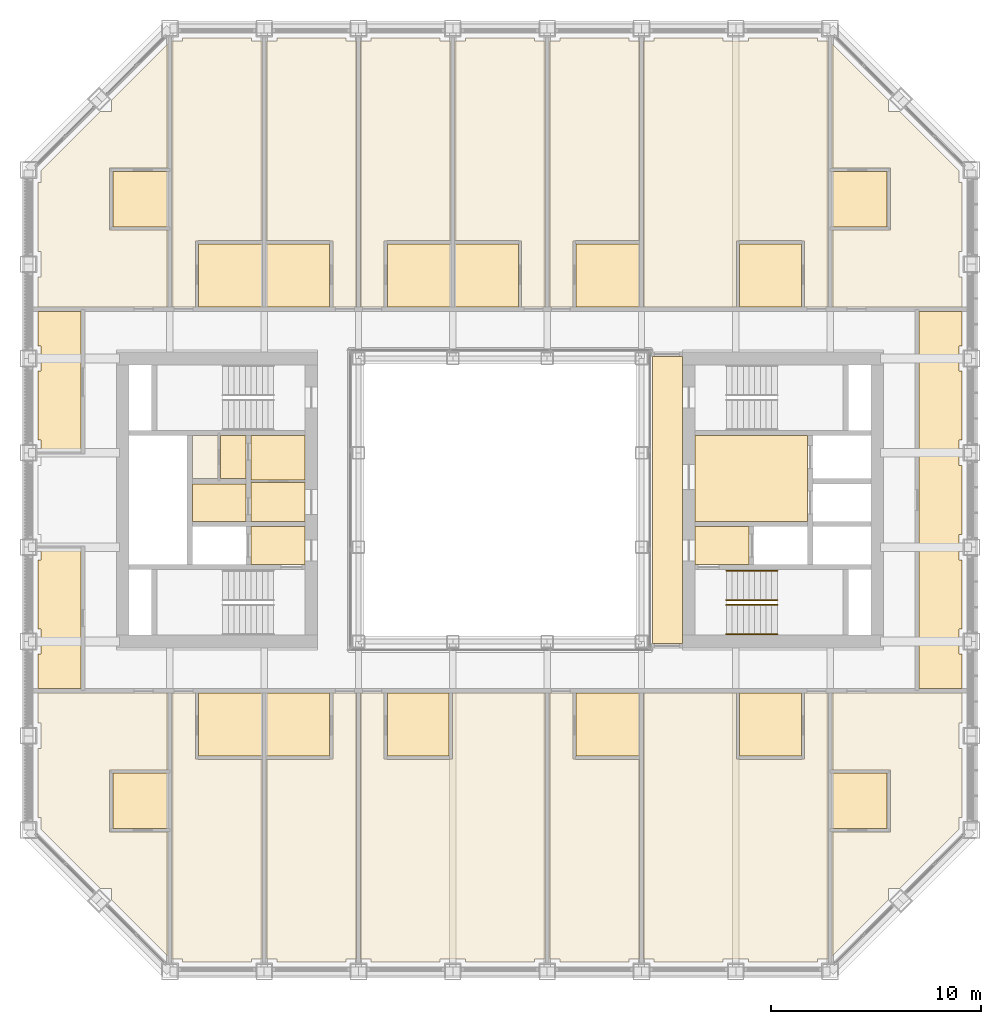
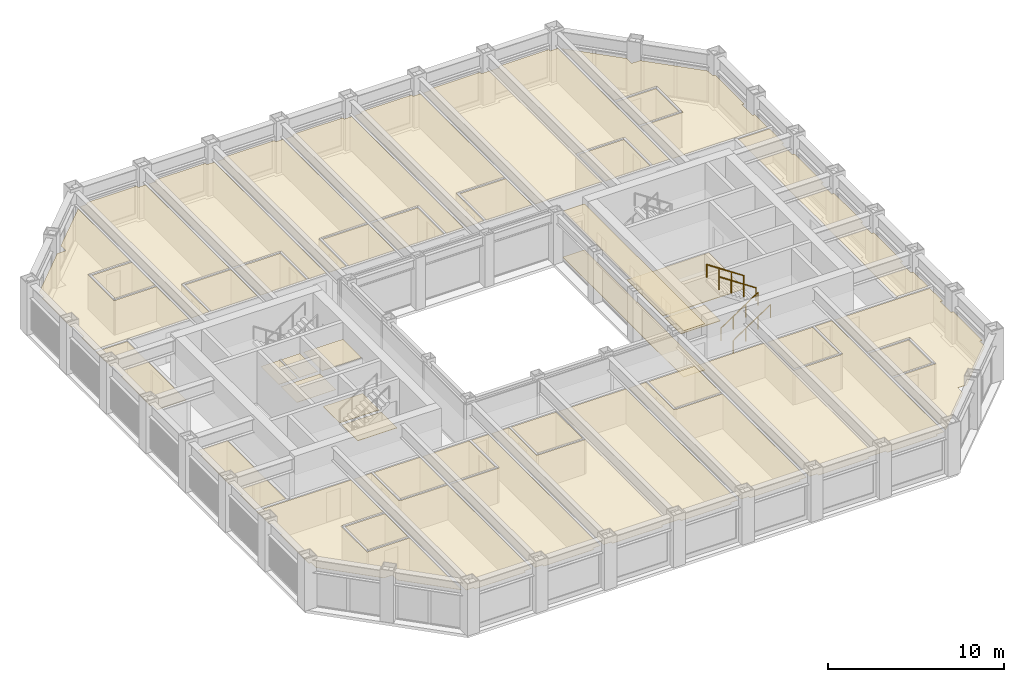
# One storey, part 16 of 17: 5 coverings, 4 railings.
"""IFC4 building model written with IfcOpenShell, lengths in metres."""

from ifc_helpers import new_model, si_unit, direction, frame, origin, origin_2d, place, context, subcontext, project, spatial, line, indexed_curve, circle, outline, extrude, material, layer, layer_set, type_object, element, save


model = new_model("IFC4")

# Units and contexts
model_context = context("Model", 3, precision=1e-05, world=origin(), true_north=direction((0.0, 1.0)))
body_context = subcontext(model_context, "Body", "Model", "MODEL_VIEW")
ifc_project = project(units=[si_unit("LENGTHUNIT", "METRE"), si_unit("AREAUNIT", "SQUARE_METRE"), si_unit("VOLUMEUNIT", "CUBIC_METRE"), si_unit("PLANEANGLEUNIT", "RADIAN"), si_unit("MASSUNIT", "GRAM", prefix="KILO")], contexts=[model_context])

# Site, building, storey
site_placement = place(None, origin())
site = spatial("IfcSite", under=ifc_project, at=site_placement, CompositionType="ELEMENT")
building_placement = place(site_placement, origin())
building = spatial("IfcBuilding", under=site, at=building_placement, Name="Msasa Ring Tower", CompositionType="ELEMENT")
storey_placement = place(building_placement, frame((0.0, 0.0, 143.60009765625)))
storey = spatial("IfcBuildingStorey", under=building, at=storey_placement, Name="L37", CompositionType="ELEMENT", Elevation=143.60009765625)

# Coverings
ifc_material_1 = material(Name="Gypsum plasterboard on a steel suspension grid", Category="steel")
ifc_layer_1 = layer(ifc_material_1, 0.014892578125)
ifc_layer_set_1 = layer_set([ifc_layer_1], Name="C1 SUSPENDED PLASTERBOARD CEILING 15")
covering_type_1 = type_object("IfcCoveringType", Name="C1 SUSPENDED PLASTERBOARD CEILING 15", PredefinedType="CEILING", material=ifc_layer_set_1)
covering_1_placement = place(storey_placement, frame((0.0, 0.0, 3.199951171875)))
element("IfcCovering", 1, at=covering_1_placement, inside=storey, type_object=covering_type_1, Name="Suspended Plasterboard Ceiling 15 public rooms L37", PredefinedType="CEILING", context=body_context, shape_type="SweptSolid", body=[
    extrude(outline(indexed_curve([(8.699462890625, 6.849609375), (8.699462890625, -6.849609375), (7.280029296875, -6.849609375), (7.280029296875, 6.849609375)], segments=[line(1, 2, 3, 4, 1)], self_intersect=False)), origin(), (0.0, 0.0, 1.0), 0.014892578125),
])
covering_2_placement = place(storey_placement, frame((0.0, 0.0, 2.407958984375)))
element("IfcCovering", 2, at=covering_2_placement, inside=storey, type_object=covering_type_1, Name="Suspended Plasterboard Ceiling 15 L37", PredefinedType="CEILING", context=body_context, shape_type="SweptSolid", body=[
    extrude(outline(indexed_curve([(-15.8505859375, -21.762451171875), (-18.5244140625, -19.08837890625), (-18.5244140625, -18.5244140625), (-19.08837890625, -18.5244140625), (-21.8994140625, -15.71337890625), (-21.8994140625, -15.1494140625), (-22.049560546875, -15.1494140625), (-22.049560546875, -11.8505859375), (-21.8994140625, -11.8505859375), (-21.8994140625, -10.6494140625), (-22.049560546875, -10.6494140625), (-22.049560546875, -9.200439453125), (-15.8505859375, -9.200439453125), (-15.8505859375, -12.869384765625), (-18.630615234375, -12.869384765625), (-18.630615234375, -15.83056640625), (-15.8505859375, -15.83056640625)], segments=[line(1, 2, 3, 4, 5, 6, 7, 8, 9, 10, 11, 12, 13, 14, 15, 16, 17, 1)], self_intersect=False)), origin(), (0.0, 0.0, 1.0), 0.014892578125),
    extrude(outline(indexed_curve([(-18.630615234375, 12.869384765625), (-15.8505859375, 12.869384765625), (-15.8505859375, 9.200439453125), (-22.049560546875, 9.200439453125), (-22.049560546875, 10.6494140625), (-21.8994140625, 10.6494140625), (-21.8994140625, 11.8505859375), (-22.049560546875, 11.8505859375), (-22.049560546875, 15.1494140625), (-21.8994140625, 15.1494140625), (-21.8994140625, 15.71337890625), (-19.08837890625, 18.5244140625), (-18.5244140625, 18.5244140625), (-18.5244140625, 19.08837890625), (-15.8505859375, 21.762451171875), (-15.8505859375, 15.83056640625), (-18.630615234375, 15.83056640625)], segments=[line(1, 2, 3, 4, 5, 6, 7, 8, 9, 10, 11, 12, 13, 14, 15, 16, 17, 1)], self_intersect=False)), origin(), (0.0, 0.0, 1.0), 0.014892578125),
    extrude(outline(indexed_curve([(-15.1494140625, -22.049560546875), (-15.1494140625, -21.8994140625), (-15.6494140625, -21.8994140625), (-15.6494140625, -9.200439453125), (-14.525390625, -9.200439453125), (-14.525390625, -12.35009765625), (-14.39990234375, -12.3505859375), (-14.39990234375, -12.37548828125), (-11.3505859375, -12.37548828125), (-11.3505859375, -21.8994140625), (-11.8505859375, -21.8994140625), (-11.8505859375, -22.049560546875)], segments=[line(1, 2, 3, 4, 5, 6, 7, 8, 9, 10, 11, 12, 1)], self_intersect=False)), origin(), (0.0, 0.0, 1.0), 0.014892578125),
    extrude(outline(indexed_curve([(-14.39990234375, 12.3505859375), (-14.525390625, 12.35009765625), (-14.525390625, 9.200439453125), (-15.6494140625, 9.200439453125), (-15.6494140625, 21.8994140625), (-15.1494140625, 21.8994140625), (-15.1494140625, 22.049560546875), (-11.8505859375, 22.049560546875), (-11.8505859375, 21.8994140625), (-11.3505859375, 21.8994140625), (-11.3505859375, 12.37548828125), (-14.39990234375, 12.37548828125)], segments=[line(1, 2, 3, 4, 5, 6, 7, 8, 9, 10, 11, 12, 1)], self_intersect=False)), origin(), (0.0, 0.0, 1.0), 0.014892578125),
    extrude(outline(indexed_curve([(-14.674560546875, 3.074462890625), (-13.45556640625, 3.074462890625), (-13.45556640625, 1.025390625), (-14.674560546875, 1.025390625)], segments=[line(1, 2, 3, 4, 1)], self_intersect=False)), origin(), (0.0, 0.0, 1.0), 0.014892578125),
    extrude(outline(indexed_curve([(-6.8505859375, -9.200439453125), (-6.8505859375, -21.8994140625), (-7.3505859375, -21.8994140625), (-7.3505859375, -22.049560546875), (-10.6494140625, -22.049560546875), (-10.6494140625, -21.8994140625), (-11.1494140625, -21.8994140625), (-11.1494140625, -12.37548828125), (-8.10009765625, -12.37548828125), (-8.10009765625, -12.3505859375), (-7.974609375, -12.35009765625), (-7.974609375, -9.200439453125)], segments=[line(1, 2, 3, 4, 5, 6, 7, 8, 9, 10, 11, 12, 1)], self_intersect=False)), origin(), (0.0, 0.0, 1.0), 0.014892578125),
    extrude(outline(indexed_curve([(-7.3505859375, 22.049560546875), (-7.3505859375, 21.8994140625), (-6.8505859375, 21.8994140625), (-6.8505859375, 9.200439453125), (-7.974609375, 9.200439453125), (-7.974609375, 12.35009765625), (-8.10009765625, 12.3505859375), (-8.10009765625, 12.37548828125), (-11.1494140625, 12.37548828125), (-11.1494140625, 21.8994140625), (-10.6494140625, 21.8994140625), (-10.6494140625, 22.049560546875)], segments=[line(1, 2, 3, 4, 5, 6, 7, 8, 9, 10, 11, 12, 1)], self_intersect=False)), origin(), (0.0, 0.0, 1.0), 0.014892578125),
    extrude(outline(indexed_curve([(-5.39990234375, -12.3505859375), (-5.39990234375, -12.37548828125), (-2.39990234375, -12.37548828125), (-2.39990234375, -12.3505859375), (-2.2744140625, -12.35009765625), (-2.2744140625, -9.200439453125), (2.1494140625, -9.200439453125), (2.1494140625, -21.8994140625), (1.6494140625, -21.8994140625), (1.6494140625, -22.049560546875), (-1.6494140625, -22.049560546875), (-1.6494140625, -21.8994140625), (-2.8505859375, -21.8994140625), (-2.8505859375, -22.049560546875), (-6.1494140625, -22.049560546875), (-6.1494140625, -21.8994140625), (-6.6494140625, -21.8994140625), (-6.6494140625, -9.200439453125), (-5.525390625, -9.200439453125), (-5.525390625, -12.35009765625)], segments=[line(1, 2, 3, 4, 5, 6, 7, 8, 9, 10, 11, 12, 13, 14, 15, 16, 17, 18, 19, 20, 1)], self_intersect=False)), origin(), (0.0, 0.0, 1.0), 0.014892578125),
    extrude(outline(indexed_curve([(-6.6494140625, 9.200439453125), (-6.6494140625, 21.8994140625), (-6.1494140625, 21.8994140625), (-6.1494140625, 22.049560546875), (-2.8505859375, 22.049560546875), (-2.8505859375, 21.8994140625), (-2.3505859375, 21.8994140625), (-2.3505859375, 12.37548828125), (-5.39990234375, 12.37548828125), (-5.39990234375, 12.3505859375), (-5.525390625, 12.35009765625), (-5.525390625, 9.200439453125)], segments=[line(1, 2, 3, 4, 5, 6, 7, 8, 9, 10, 11, 12, 1)], self_intersect=False)), origin(), (0.0, 0.0, 1.0), 0.014892578125),
    extrude(outline(indexed_curve([(1.6494140625, 22.049560546875), (1.6494140625, 21.8994140625), (2.1494140625, 21.8994140625), (2.1494140625, 9.200439453125), (1.025390625, 9.200439453125), (1.025390625, 12.35009765625), (0.89990234375, 12.3505859375), (0.89990234375, 12.37548828125), (-2.1494140625, 12.37548828125), (-2.1494140625, 21.8994140625), (-1.6494140625, 21.8994140625), (-1.6494140625, 22.049560546875)], segments=[line(1, 2, 3, 4, 5, 6, 7, 8, 9, 10, 11, 12, 1)], self_intersect=False)), origin(), (0.0, 0.0, 1.0), 0.014892578125),
    extrude(outline(indexed_curve([(2.8505859375, -22.049560546875), (2.8505859375, -21.8994140625), (2.3505859375, -21.8994140625), (2.3505859375, -9.200439453125), (3.474609375, -9.200439453125), (3.474609375, -12.35009765625), (3.60009765625, -12.3505859375), (3.60009765625, -12.37548828125), (6.6494140625, -12.37548828125), (6.6494140625, -21.8994140625), (6.1494140625, -21.8994140625), (6.1494140625, -22.049560546875)], segments=[line(1, 2, 3, 4, 5, 6, 7, 8, 9, 10, 11, 12, 1)], self_intersect=False)), origin(), (0.0, 0.0, 1.0), 0.014892578125),
    extrude(outline(indexed_curve([(2.3505859375, 9.200439453125), (2.3505859375, 21.8994140625), (2.8505859375, 21.8994140625), (2.8505859375, 22.049560546875), (6.1494140625, 22.049560546875), (6.1494140625, 21.8994140625), (6.6494140625, 21.8994140625), (6.6494140625, 12.37548828125), (3.60009765625, 12.37548828125), (3.60009765625, 12.3505859375), (3.474609375, 12.35009765625), (3.474609375, 9.200439453125)], segments=[line(1, 2, 3, 4, 5, 6, 7, 8, 9, 10, 11, 12, 1)], self_intersect=False)), origin(), (0.0, 0.0, 1.0), 0.014892578125),
    extrude(outline(indexed_curve([(11.2744140625, -12.35009765625), (11.39990234375, -12.3505859375), (11.39990234375, -12.37548828125), (14.39990234375, -12.37548828125), (14.39990234375, -12.3505859375), (14.525390625, -12.35009765625), (14.525390625, -9.200439453125), (15.6494140625, -9.200439453125), (15.6494140625, -21.8994140625), (15.1494140625, -21.8994140625), (15.1494140625, -22.049560546875), (11.8505859375, -22.049560546875), (11.8505859375, -21.8994140625), (10.6494140625, -21.8994140625), (10.6494140625, -22.049560546875), (7.3505859375, -22.049560546875), (7.3505859375, -21.8994140625), (6.8505859375, -21.8994140625), (6.8505859375, -9.200439453125), (11.2744140625, -9.200439453125)], segments=[line(1, 2, 3, 4, 5, 6, 7, 8, 9, 10, 11, 12, 13, 14, 15, 16, 17, 18, 19, 20, 1)], self_intersect=False)), origin(), (0.0, 0.0, 1.0), 0.014892578125),
    extrude(outline(indexed_curve([(14.525390625, 12.35009765625), (14.39990234375, 12.3505859375), (14.39990234375, 12.37548828125), (11.39990234375, 12.37548828125), (11.39990234375, 12.3505859375), (11.2744140625, 12.35009765625), (11.2744140625, 9.200439453125), (6.8505859375, 9.200439453125), (6.8505859375, 21.8994140625), (7.3505859375, 21.8994140625), (7.3505859375, 22.049560546875), (10.6494140625, 22.049560546875), (10.6494140625, 21.8994140625), (11.8505859375, 21.8994140625), (11.8505859375, 22.049560546875), (15.1494140625, 22.049560546875), (15.1494140625, 21.8994140625), (15.6494140625, 21.8994140625), (15.6494140625, 9.200439453125), (14.525390625, 9.200439453125)], segments=[line(1, 2, 3, 4, 5, 6, 7, 8, 9, 10, 11, 12, 13, 14, 15, 16, 17, 18, 19, 20, 1)], self_intersect=False)), origin(), (0.0, 0.0, 1.0), 0.014892578125),
    extrude(outline(indexed_curve([(18.630615234375, -12.869384765625), (15.8505859375, -12.869384765625), (15.8505859375, -9.200439453125), (22.049560546875, -9.200439453125), (22.049560546875, -10.6494140625), (21.8994140625, -10.6494140625), (21.8994140625, -11.8505859375), (22.049560546875, -11.8505859375), (22.049560546875, -15.1494140625), (21.8994140625, -15.1494140625), (21.8994140625, -15.71337890625), (19.08837890625, -18.5244140625), (18.5244140625, -18.5244140625), (18.5244140625, -19.08837890625), (15.8505859375, -21.762451171875), (15.8505859375, -15.83056640625), (18.630615234375, -15.83056640625)], segments=[line(1, 2, 3, 4, 5, 6, 7, 8, 9, 10, 11, 12, 13, 14, 15, 16, 17, 1)], self_intersect=False)), origin(), (0.0, 0.0, 1.0), 0.014892578125),
    extrude(outline(indexed_curve([(15.8505859375, 21.762451171875), (18.5244140625, 19.08837890625), (18.5244140625, 18.5244140625), (19.08837890625, 18.5244140625), (21.8994140625, 15.71337890625), (21.8994140625, 15.1494140625), (22.049560546875, 15.1494140625), (22.049560546875, 11.8505859375), (21.8994140625, 11.8505859375), (21.8994140625, 10.6494140625), (22.049560546875, 10.6494140625), (22.049560546875, 9.200439453125), (15.8505859375, 9.200439453125), (15.8505859375, 12.869384765625), (18.630615234375, 12.869384765625), (18.630615234375, 15.83056640625), (15.8505859375, 15.83056640625)], segments=[line(1, 2, 3, 4, 5, 6, 7, 8, 9, 10, 11, 12, 13, 14, 15, 16, 17, 1)], self_intersect=False)), origin(), (0.0, 0.0, 1.0), 0.014892578125),
])
ifc_material_2 = material(Name="Moisture-resistant gypsum plasterboard on a steel suspension grid", Category="steel")
ifc_layer_2 = layer(ifc_material_2, 0.014892578125)
ifc_layer_set_2 = layer_set([ifc_layer_2], Name="C2 MOISTURE-RESISTANT PLASTERBOARD CEILING 15")
covering_type_2 = type_object("IfcCoveringType", Name="C2 MOISTURE-RESISTANT PLASTERBOARD CEILING 15", PredefinedType="CEILING", material=ifc_layer_set_2)
covering_3_placement = place(storey_placement, frame((0.0, 0.0, 2.39990234375)))
element("IfcCovering", 3, at=covering_3_placement, inside=storey, type_object=covering_type_2, Name="Moisture-Resistant Plasterboard Ceiling 15 L37", PredefinedType="CEILING", context=body_context, shape_type="SweptSolid", body=[
    extrude(outline(indexed_curve([(-18.469482421875, -13.030517578125), (-15.8505859375, -13.030517578125), (-15.8505859375, -15.66943359375), (-18.469482421875, -15.66943359375)], segments=[line(1, 2, 3, 4, 1)], self_intersect=False)), origin(), (0.0, 0.0, 1.0), 0.014892578125),
    extrude(outline(indexed_curve([(-18.469482421875, 15.66943359375), (-15.8505859375, 15.66943359375), (-15.8505859375, 13.030517578125), (-18.469482421875, 13.030517578125)], segments=[line(1, 2, 3, 4, 1)], self_intersect=False)), origin(), (0.0, 0.0, 1.0), 0.014892578125),
    extrude(outline(indexed_curve([(-14.674560546875, 0.7744140625), (-12.12548828125, 0.7744140625), (-12.12548828125, -1.0244140625), (-14.674560546875, -1.0244140625)], segments=[line(1, 2, 3, 4, 1)], self_intersect=False)), origin(), (0.0, 0.0, 1.0), 0.014892578125),
    extrude(outline(indexed_curve([(-11.3505859375, -9.200439453125), (-11.3505859375, -12.224609375), (-14.37451171875, -12.224609375), (-14.37451171875, -9.200439453125)], segments=[line(1, 2, 3, 4, 1)], self_intersect=False)), origin(), (0.0, 0.0, 1.0), 0.014892578125),
    extrude(outline(indexed_curve([(-11.3505859375, 9.200439453125), (-14.37451171875, 9.200439453125), (-14.37451171875, 12.224609375), (-11.3505859375, 12.224609375)], segments=[line(1, 2, 3, 4, 1)], self_intersect=False)), origin(), (0.0, 0.0, 1.0), 0.014892578125),
    extrude(outline(indexed_curve([(-11.1494140625, -9.200439453125), (-8.12548828125, -9.200439453125), (-8.12548828125, -12.224609375), (-11.1494140625, -12.224609375)], segments=[line(1, 2, 3, 4, 1)], self_intersect=False)), origin(), (0.0, 0.0, 1.0), 0.014892578125),
    extrude(outline(indexed_curve([(-11.1494140625, 12.224609375), (-8.12548828125, 12.224609375), (-8.12548828125, 9.200439453125), (-11.1494140625, 9.200439453125)], segments=[line(1, 2, 3, 4, 1)], self_intersect=False)), origin(), (0.0, 0.0, 1.0), 0.014892578125),
    extrude(outline(indexed_curve([(-2.425537109375, -9.200439453125), (-2.425537109375, -12.224609375), (-5.37451171875, -12.224609375), (-5.37451171875, -9.200439453125)], segments=[line(1, 2, 3, 4, 1)], self_intersect=False)), origin(), (0.0, 0.0, 1.0), 0.014892578125),
    extrude(outline(indexed_curve([(-2.3505859375, 9.200439453125), (-5.37451171875, 9.200439453125), (-5.37451171875, 12.224609375), (-2.3505859375, 12.224609375)], segments=[line(1, 2, 3, 4, 1)], self_intersect=False)), origin(), (0.0, 0.0, 1.0), 0.014892578125),
    extrude(outline(indexed_curve([(-2.1494140625, 12.224609375), (0.87451171875, 12.224609375), (0.87451171875, 9.200439453125), (-2.1494140625, 9.200439453125)], segments=[line(1, 2, 3, 4, 1)], self_intersect=False)), origin(), (0.0, 0.0, 1.0), 0.014892578125),
    extrude(outline(indexed_curve([(6.6494140625, -9.200439453125), (6.6494140625, -12.224609375), (3.62548828125, -12.224609375), (3.62548828125, -9.200439453125)], segments=[line(1, 2, 3, 4, 1)], self_intersect=False)), origin(), (0.0, 0.0, 1.0), 0.014892578125),
    extrude(outline(indexed_curve([(6.6494140625, 9.200439453125), (3.62548828125, 9.200439453125), (3.62548828125, 12.224609375), (6.6494140625, 12.224609375)], segments=[line(1, 2, 3, 4, 1)], self_intersect=False)), origin(), (0.0, 0.0, 1.0), 0.014892578125),
    extrude(outline(indexed_curve([(14.37451171875, -9.200439453125), (14.37451171875, -12.224609375), (11.425537109375, -12.224609375), (11.425537109375, -9.200439453125)], segments=[line(1, 2, 3, 4, 1)], self_intersect=False)), origin(), (0.0, 0.0, 1.0), 0.014892578125),
    extrude(outline(indexed_curve([(11.425537109375, 9.200439453125), (11.425537109375, 12.224609375), (14.37451171875, 12.224609375), (14.37451171875, 9.200439453125)], segments=[line(1, 2, 3, 4, 1)], self_intersect=False)), origin(), (0.0, 0.0, 1.0), 0.014892578125),
    extrude(outline(indexed_curve([(15.8505859375, -13.030517578125), (18.469482421875, -13.030517578125), (18.469482421875, -15.66943359375), (15.8505859375, -15.66943359375)], segments=[line(1, 2, 3, 4, 1)], self_intersect=False)), origin(), (0.0, 0.0, 1.0), 0.014892578125),
    extrude(outline(indexed_curve([(15.8505859375, 15.66943359375), (18.469482421875, 15.66943359375), (18.469482421875, 13.030517578125), (15.8505859375, 13.030517578125)], segments=[line(1, 2, 3, 4, 1)], self_intersect=False)), origin(), (0.0, 0.0, 1.0), 0.014892578125),
])
ifc_material_3 = material(Name="Mineral fibre ceiling tiles on an exposed steel grid", Category="steel")
ifc_layer_3 = layer(ifc_material_3, 0.02001953125)
ifc_layer_set_3 = layer_set([ifc_layer_3], Name="C3 ACOUSTIC MINERAL FIBRE TILE CEILING 20")
covering_type_3 = type_object("IfcCoveringType", Name="C3 ACOUSTIC MINERAL FIBRE TILE CEILING 20", PredefinedType="CEILING", material=ifc_layer_set_3)
covering_4_placement = place(storey_placement, frame((0.0, 0.0, 2.408935546875)))
element("IfcCovering", 4, at=covering_4_placement, inside=storey, type_object=covering_type_3, Name="Acoustic Mineral Fibre Tile Ceiling 20 L37", PredefinedType="CEILING", context=body_context, shape_type="SweptSolid", body=[
    extrude(outline(indexed_curve([(-22.049560546875, -7.3505859375), (-21.8994140625, -7.3505859375), (-21.8994140625, -6.1494140625), (-22.049560546875, -6.1494140625), (-22.049560546875, -2.8505859375), (-21.8994140625, -2.8505859375), (-21.8994140625, -2.305419921875), (-20.00048828125, -2.305419921875), (-20.00048828125, -8.99951171875), (-22.049560546875, -8.99951171875)], segments=[line(1, 2, 3, 4, 5, 6, 7, 8, 9, 10, 1)], self_intersect=False)), origin(), (0.0, 0.0, 1.0), 0.02001953125),
    extrude(outline(indexed_curve([(-20.00048828125, 8.99951171875), (-20.00048828125, 2.305419921875), (-21.8994140625, 2.305419921875), (-21.8994140625, 2.8505859375), (-22.049560546875, 2.8505859375), (-22.049560546875, 6.1494140625), (-21.8994140625, 6.1494140625), (-21.8994140625, 7.3505859375), (-22.049560546875, 7.3505859375), (-22.049560546875, 8.99951171875)], segments=[line(1, 2, 3, 4, 5, 6, 7, 8, 9, 10, 1)], self_intersect=False)), origin(), (0.0, 0.0, 1.0), 0.02001953125),
    extrude(outline(indexed_curve([(-13.344482421875, 3.074462890625), (-12.12548828125, 3.074462890625), (-12.12548828125, 1.025390625), (-13.344482421875, 1.025390625)], segments=[line(1, 2, 3, 4, 1)], self_intersect=False)), origin(), (0.0, 0.0, 1.0), 0.02001953125),
    extrude(outline(indexed_curve([(-9.300537109375, 0.95556640625), (-11.87451171875, 0.95556640625), (-11.87451171875, 3.074462890625), (-9.300537109375, 3.074462890625)], segments=[line(1, 2, 3, 4, 1)], self_intersect=False)), origin(), (0.0, 0.0, 1.0), 0.02001953125),
    extrude(outline(indexed_curve([(22.049560546875, 8.99951171875), (22.049560546875, 7.3505859375), (21.8994140625, 7.3505859375), (21.8994140625, 6.1494140625), (22.049560546875, 6.1494140625), (22.049560546875, 2.8505859375), (21.8994140625, 2.8505859375), (21.8994140625, 1.6494140625), (22.049560546875, 1.6494140625), (22.049560546875, -1.6494140625), (21.8994140625, -1.6494140625), (21.8994140625, -2.8505859375), (22.049560546875, -2.8505859375), (22.049560546875, -6.1494140625), (21.8994140625, -6.1494140625), (21.8994140625, -7.3505859375), (22.049560546875, -7.3505859375), (22.049560546875, -8.99951171875), (20.00048828125, -8.99951171875), (20.00048828125, 8.99951171875)], segments=[line(1, 2, 3, 4, 5, 6, 7, 8, 9, 10, 11, 12, 13, 14, 15, 16, 17, 18, 19, 20, 1)], self_intersect=False)), origin(), (0.0, 0.0, 1.0), 0.02001953125),
])
ifc_material_4 = material(Name="Honed granite tiles on a mortar bed", Category="masonry")
ifc_layer_4 = layer(ifc_material_4, 0.030029296875)
ifc_layer_set_4 = layer_set([ifc_layer_4], Name="F1 HONED GRANITE ON BEDDING 30")
covering_type_4 = type_object("IfcCoveringType", Name="F1 HONED GRANITE ON BEDDING 30", PredefinedType="FLOORING", material=ifc_layer_set_4)
covering_5_placement = place(storey_placement, origin())
element("IfcCovering", 5, at=covering_5_placement, inside=storey, type_object=covering_type_4, Name="Honed Granite On Bedding 30 L37", PredefinedType="FLOORING", context=body_context, shape_type="SweptSolid", body=[
    extrude(outline(indexed_curve([(-11.87451171875, -3.074462890625), (-11.87451171875, -1.275390625), (-9.300537109375, -1.275390625), (-9.300537109375, -3.074462890625)], segments=[line(1, 2, 3, 4, 1)], self_intersect=False)), origin(), (0.0, 0.0, 1.0), 0.02978515625),
    extrude(outline(indexed_curve([(-11.87451171875, -1.0244140625), (-11.87451171875, 0.844482421875), (-9.300537109375, 0.844482421875), (-9.300537109375, -1.0244140625)], segments=[line(1, 2, 3, 4, 1)], self_intersect=False)), origin(), (0.0, 0.0, 1.0), 0.02978515625),
    extrude(outline(indexed_curve([(8.699462890625, 6.849609375), (8.699462890625, -6.849609375), (7.280029296875, -6.849609375), (7.280029296875, 6.849609375)], segments=[line(1, 2, 3, 4, 1)], self_intersect=False)), origin(), (0.0, 0.0, 1.0), 0.02978515625),
    extrude(outline(indexed_curve([(9.300537109375, -3.074462890625), (9.300537109375, -1.275390625), (11.87451171875, -1.275390625), (11.87451171875, -3.074462890625)], segments=[line(1, 2, 3, 4, 1)], self_intersect=False)), origin(), (0.0, 0.0, 1.0), 0.02978515625),
    extrude(outline(indexed_curve([(9.300537109375, 3.074462890625), (14.674560546875, 3.074462890625), (14.674560546875, -1.0244140625), (9.300537109375, -1.0244140625)], segments=[line(1, 2, 3, 4, 1)], self_intersect=False)), origin(), (0.0, 0.0, 1.0), 0.02978515625),
])

# Railings
ifc_material_5 = material(Name="Stainless steel", Category="steel")
railing_type = type_object("IfcRailingType", Name="HR1 HANDRAIL 900", PredefinedType="HANDRAIL", material=ifc_material_5)
for number, where, name in (
    (6, (10.800048828125, -6.39990234375, 0.179931640625), "Handrail stair SEA L37 1"),
    (7, (10.800048828125, -5.0, 0.179931640625), "Handrail stair SEA L37 2"),
):
    element("IfcRailing", number, at=place(storey_placement, frame(where)), inside=storey, type_object=railing_type, Name=name, PredefinedType="HANDRAIL", context=body_context, shape_type="SweptSolid", body=[
        extrude(circle(Radius=0.02392578125, at=origin_2d()), frame((0.0, 0.0, 0.8759765625), z_axis=(0.832063155534, 0.0, 0.554680903946), x_axis=(0.0, 1.0, 0.0)), (0.0, 0.0, 1.0), 2.92041015625),
        extrude(circle(Radius=0.02099609375, at=origin_2d()), origin(), (0.0, 0.0, 1.0), 0.851806640625),
        extrude(circle(Radius=0.02099609375, at=origin_2d()), frame((0.81005859375, 0.0, 0.5400390625)), (0.0, 0.0, 1.0), 0.851806640625),
        extrude(circle(Radius=0.02099609375, at=origin_2d()), frame((1.619873046875, 0.0, 1.079833984375)), (0.0, 0.0, 1.0), 0.851806640625),
        extrude(circle(Radius=0.02099609375, at=origin_2d()), frame((2.429931640625, 0.0, 1.619873046875)), (0.0, 0.0, 1.0), 0.851806640625),
    ])
for number, where, name in (
    (8, (13.22998046875, -4.77490234375, 1.97998046875), "Handrail stair SEA L37 3"),
    (9, (13.22998046875, -3.375, 1.97998046875), "Handrail stair SEA L37 4"),
):
    element("IfcRailing", number, at=place(storey_placement, frame(where)), inside=storey, type_object=railing_type, Name=name, PredefinedType="HANDRAIL", context=body_context, shape_type="SweptSolid", body=[
        extrude(circle(Radius=0.02392578125, at=origin_2d()), frame((0.0, 0.0, 0.8759765625), z_axis=(-0.832063155534, 0.0, 0.554680903946), x_axis=(0.0, -1.0, 0.0)), (0.0, 0.0, 1.0), 2.92041015625),
        extrude(circle(Radius=0.02099609375, at=origin_2d()), origin(), (0.0, 0.0, 1.0), 0.851806640625),
        extrude(circle(Radius=0.02099609375, at=origin_2d()), frame((-0.81005859375, 0.0, 0.5400390625)), (0.0, 0.0, 1.0), 0.851806640625),
        extrude(circle(Radius=0.02099609375, at=origin_2d()), frame((-1.619873046875, 0.0, 1.079833984375)), (0.0, 0.0, 1.0), 0.851806640625),
        extrude(circle(Radius=0.02099609375, at=origin_2d()), frame((-2.429931640625, 0.0, 1.619873046875)), (0.0, 0.0, 1.0), 0.851806640625),
    ])

save(model, "model.ifc")
